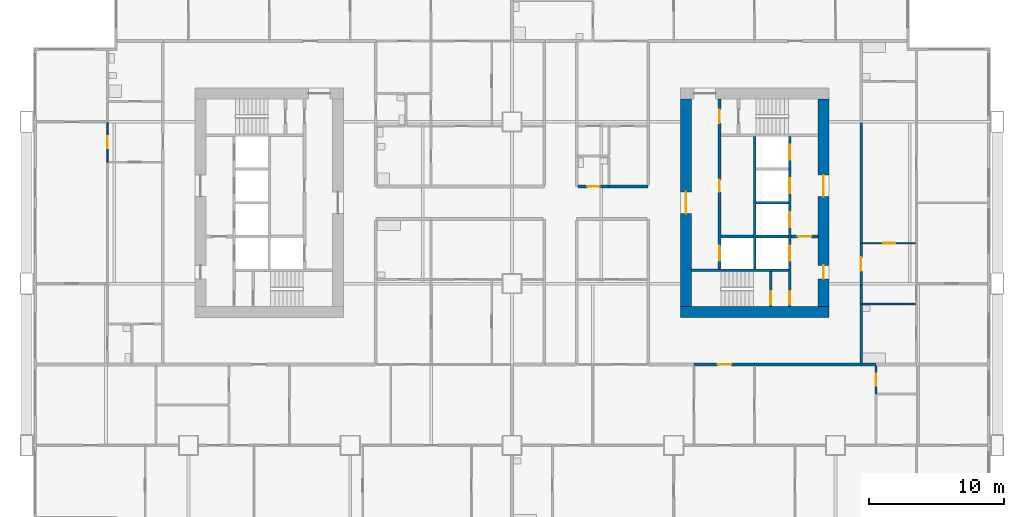
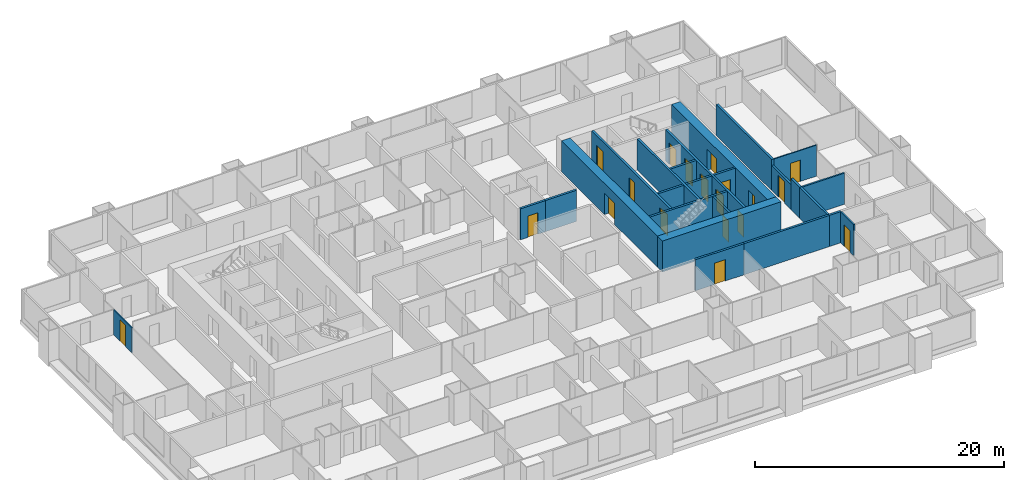
# One storey, part 6 of 13: 25 walls, 19 doors, 19 openings.
"""IFC4 building model written with IfcOpenShell, lengths in metres."""

from ifc_helpers import new_model, si_unit, direction, frame, frame_2d, origin, place, context, subcontext, project, spatial, rectangle, extrude, material, layer, layer_set, type_object, element, fill, save


model = new_model("IFC4")

# Units and contexts
model_context = context("Model", 3, precision=1e-05, world=origin(), true_north=direction((0.0, 1.0)))
body_context = subcontext(model_context, "Body", "Model", "MODEL_VIEW")
ifc_project = project(units=[si_unit("LENGTHUNIT", "METRE"), si_unit("AREAUNIT", "SQUARE_METRE"), si_unit("VOLUMEUNIT", "CUBIC_METRE"), si_unit("PLANEANGLEUNIT", "RADIAN"), si_unit("MASSUNIT", "GRAM", prefix="KILO")], contexts=[model_context])

# Site, building, storey
site_placement = place(None, origin())
site = spatial("IfcSite", under=ifc_project, at=site_placement, CompositionType="ELEMENT")
building_placement = place(site_placement, origin())
building = spatial("IfcBuilding", under=site, at=building_placement, Name="Kitamizu Gate Tower and Museum", CompositionType="ELEMENT")
storey_placement = place(building_placement, frame((0.0, 0.0, 88.64990234375)))
storey = spatial("IfcBuildingStorey", under=building, at=storey_placement, Name="L22", CompositionType="ELEMENT", Elevation=88.64990234375)

# Wall
ifc_material_1 = material(Name="Concrete Fc60", Category="concrete")
ifc_layer_1 = layer(ifc_material_1, 0.800048828125)
ifc_layer_set_1 = layer_set([ifc_layer_1], Name="Concrete Fc60")
wall_type_1 = type_object("IfcWallType", Name="Core wall 800", PredefinedType="SHEAR", material=ifc_layer_set_1)
wall_1_placement = place(storey_placement, frame((59.5, 21.89990234375, 0.0), z_axis=(0.0, 0.0, 1.0), x_axis=(-1.0, 0.0, 0.0)))
element("IfcWall", 1, at=wall_1_placement, inside=storey, type_object=wall_type_1, Name="Core wall ES", PredefinedType="SHEAR", context=body_context, shape_type="SweptSolid", body=[
    extrude(rectangle(XDim=11.0, YDim=0.800048828125, at=frame_2d((5.5, 0.0))), origin(), (0.0, 0.0, 1.0), 3.050048828125),
])

# Wall, openings, doors
wall_2_placement = place(storey_placement, frame((59.10009765625, 22.300048828125, 0.0), z_axis=(0.0, 0.0, 1.0), x_axis=(0.0, 1.0, 0.0)))
wall_2 = element("IfcWall", 2, at=wall_2_placement, inside=storey, type_object=wall_type_1, Name="Core wall EOUT", PredefinedType="SHEAR", context=body_context, shape_type="SweptSolid", body=[
    extrude(rectangle(XDim=15.39990234375, YDim=0.800048828125, at=frame_2d((7.699951171875, 0.0))), origin(), (0.0, 0.0, 1.0), 3.050048828125),
])
opening_1_placement = place(wall_2_placement, frame((8.14990234375, 0.0, 0.0)))
opening_1 = element("IfcOpeningElement", 3, at=opening_1_placement, cuts=wall_2, Name="Opening L22-091", PredefinedType="OPENING", context=body_context, shape_type="SweptSolid", body=[
    extrude(rectangle(XDim=1.60009765625, YDim=2.10009765625, at=frame_2d((0.800048828125, 1.050048828125))), frame((0.0, 0.41015625, 0.0), z_axis=(0.0, -1.0, 0.0), x_axis=(1.0, 0.0, 0.0)), (0.0, 0.0, 1.0), 0.820068359375),
])
opening_2_placement = place(wall_2_placement, frame((2.050048828125, 0.0, 0.0)))
opening_2 = element("IfcOpeningElement", 4, at=opening_2_placement, cuts=wall_2, Name="Opening L22-092", PredefinedType="OPENING", context=body_context, shape_type="SweptSolid", body=[
    extrude(rectangle(XDim=1.0, YDim=2.10009765625, at=frame_2d((0.5, 1.050048828125))), frame((0.0, 0.41015625, 0.0), z_axis=(0.0, -1.0, 0.0), x_axis=(1.0, 0.0, 0.0)), (0.0, 0.0, 1.0), 0.820068359375),
])
ifc_material_2 = material(Name="Timber door set", Category="wood")
door_type_1 = type_object("IfcDoorType", Name="Entrance door 1600", OperationType="DOUBLE_DOOR_SINGLE_SWING", PredefinedType="DOOR", material=ifc_material_2)
door_1_placement = place(opening_1_placement, origin())
door_1 = element("IfcDoor", 5, at=door_1_placement, inside=storey, type_object=door_type_1, Name="Lobby door L22-091", OperationType="DOUBLE_DOOR_SINGLE_SWING", OverallHeight=2.10009765625, OverallWidth=1.60009765625, PredefinedType="DOOR", context=body_context, shape_type="SweptSolid", body=[
    extrude(rectangle(XDim=1.60009765625, YDim=2.10009765625, at=frame_2d((0.800048828125, 1.050048828125))), frame((0.0, 0.02490234375, 0.0), z_axis=(0.0, -1.0, 0.0), x_axis=(1.0, 0.0, 0.0)), (0.0, 0.0, 1.0), 0.050048828125),
])
fill(opening_1, door_1)
ifc_material_3 = material(Name="Hollow metal door set")
door_type_2 = type_object("IfcDoorType", Name="Fire door 1000", OperationType="NOTDEFINED", PredefinedType="DOOR", material=ifc_material_3)
door_2_placement = place(opening_2_placement, origin())
door_2 = element("IfcDoor", 6, at=door_2_placement, inside=storey, type_object=door_type_2, Name="Fire-fighting lobby door L22-092", OperationType="SINGLE_SWING_RIGHT", OverallHeight=2.10009765625, OverallWidth=1.0, PredefinedType="DOOR", context=body_context, shape_type="SweptSolid", body=[
    extrude(rectangle(XDim=1.0, YDim=2.10009765625, at=frame_2d((0.5, 1.050048828125))), frame((0.0, 0.02490234375, 0.0), z_axis=(0.0, -1.0, 0.0), x_axis=(1.0, 0.0, 0.0)), (0.0, 0.0, 1.0), 0.050048828125),
])
fill(opening_2, door_2)

# Wall, opening, door
wall_3_placement = place(storey_placement, frame((48.89990234375, 22.300048828125, 0.0), z_axis=(0.0, 0.0, 1.0), x_axis=(0.0, 1.0, 0.0)))
wall_3 = element("IfcWall", 7, at=wall_3_placement, inside=storey, type_object=wall_type_1, Name="Core wall EARC", PredefinedType="SHEAR", context=body_context, shape_type="SweptSolid", body=[
    extrude(rectangle(XDim=15.39990234375, YDim=0.800048828125, at=frame_2d((7.699951171875, 0.0))), origin(), (0.0, 0.0, 1.0), 3.050048828125),
])
opening_3_placement = place(wall_3_placement, frame((6.89990234375, 0.0, 0.0)))
opening_3 = element("IfcOpeningElement", 8, at=opening_3_placement, cuts=wall_3, Name="Opening L22-094", PredefinedType="OPENING", context=body_context, shape_type="SweptSolid", body=[
    extrude(rectangle(XDim=1.60009765625, YDim=2.10009765625, at=frame_2d((0.800048828125, 1.050048828125))), frame((0.0, 0.41015625, 0.0), z_axis=(0.0, -1.0, 0.0), x_axis=(1.0, 0.0, 0.0)), (0.0, 0.0, 1.0), 0.820068359375),
])
door_3_placement = place(opening_3_placement, origin())
door_3 = element("IfcDoor", 9, at=door_3_placement, inside=storey, type_object=door_type_1, Name="Lobby door L22-094", OperationType="DOUBLE_DOOR_SINGLE_SWING", OverallHeight=2.10009765625, OverallWidth=1.60009765625, PredefinedType="DOOR", context=body_context, shape_type="SweptSolid", body=[
    extrude(rectangle(XDim=1.60009765625, YDim=2.10009765625, at=frame_2d((0.800048828125, 1.050048828125))), frame((0.0, 0.02490234375, 0.0), z_axis=(0.0, -1.0, 0.0), x_axis=(1.0, 0.0, 0.0)), (0.0, 0.0, 1.0), 0.050048828125),
])
fill(opening_3, door_3)

ifc_material_4 = material(Name="Gypsum board on galvanised stud")
ifc_layer_2 = layer(ifc_material_4, 0.10009765625)
ifc_layer_set_2 = layer_set([ifc_layer_2], Name="Gypsum board on galvanised stud")
wall_type_2 = type_object("IfcWallType", Name="Partition 100 NOT RATED", PredefinedType="PARTITIONING", material=ifc_layer_set_2)
wall_4_placement = place(storey_placement, frame((6.0, 33.0, 0.0), z_axis=(0.0, 0.0, 1.0), x_axis=(0.0, 1.0, 0.0)))
wall_4 = element("IfcWall", 10, at=wall_4_placement, inside=storey, type_object=wall_type_2, Name="Partition L22-068", PredefinedType="PARTITIONING", context=body_context, shape_type="SweptSolid", body=[
    extrude(rectangle(XDim=2.949951171875, YDim=0.10009765625, at=frame_2d((1.47509765625, 0.0))), origin(), (0.0, 0.0, 1.0), 2.4501953125),
])
opening_4_placement = place(wall_4_placement, frame((1.02490234375, 0.0, 0.0)))
opening_4 = element("IfcOpeningElement", 11, at=opening_4_placement, cuts=wall_4, Name="Opening L22-022", PredefinedType="OPENING", context=body_context, shape_type="SweptSolid", body=[
    extrude(rectangle(XDim=0.89990234375, YDim=2.10009765625, at=frame_2d((0.449951171875, 1.050048828125))), frame((0.0, 0.06005859375, 0.0), z_axis=(0.0, -1.0, 0.0), x_axis=(1.0, 0.0, 0.0)), (0.0, 0.0, 1.0), 0.1201171875),
])
ifc_material_5 = material(Name="Timber door set", Category="wood")
door_type_3 = type_object("IfcDoorType", Name="Room door 900", OperationType="NOTDEFINED", PredefinedType="DOOR", material=ifc_material_5)
door_4_placement = place(opening_4_placement, origin())
door_4 = element("IfcDoor", 12, at=door_4_placement, inside=storey, type_object=door_type_3, Name="Door L22-022", OperationType="SINGLE_SWING_LEFT", OverallHeight=2.10009765625, OverallWidth=0.89990234375, PredefinedType="DOOR", context=body_context, shape_type="SweptSolid", body=[
    extrude(rectangle(XDim=0.89990234375, YDim=2.10009765625, at=frame_2d((0.449951171875, 1.050048828125))), frame((0.0, 0.02490234375, 0.0), z_axis=(0.0, -1.0, 0.0), x_axis=(1.0, 0.0, 0.0)), (0.0, 0.0, 1.0), 0.050048828125),
])
fill(opening_4, door_4)

wall_5_placement = place(storey_placement, frame((65.949951171875, 27.0, 0.0), z_axis=(0.0, 0.0, 1.0), x_axis=(-1.0, 0.0, 0.0)))
wall_5 = element("IfcWall", 13, at=wall_5_placement, inside=storey, type_object=wall_type_2, Name="Partition L22-180", PredefinedType="PARTITIONING", context=body_context, shape_type="SweptSolid", body=[
    extrude(rectangle(XDim=3.949951171875, YDim=0.10009765625, at=frame_2d((1.97509765625, 0.0))), origin(), (0.0, 0.0, 1.0), 3.050048828125),
])
opening_5_placement = place(wall_5_placement, frame((1.52490234375, 0.0, 0.0)))
opening_5 = element("IfcOpeningElement", 14, at=opening_5_placement, cuts=wall_5, Name="Opening L22-061", PredefinedType="OPENING", context=body_context, shape_type="SweptSolid", body=[
    extrude(rectangle(XDim=0.89990234375, YDim=2.10009765625, at=frame_2d((0.449951171875, 1.050048828125))), frame((0.0, 0.06005859375, 0.0), z_axis=(0.0, -1.0, 0.0), x_axis=(1.0, 0.0, 0.0)), (0.0, 0.0, 1.0), 0.1201171875),
])
door_5_placement = place(opening_5_placement, origin())
door_5 = element("IfcDoor", 15, at=door_5_placement, inside=storey, type_object=door_type_3, Name="Door L22-061", OperationType="SINGLE_SWING_LEFT", OverallHeight=2.10009765625, OverallWidth=0.89990234375, PredefinedType="DOOR", context=body_context, shape_type="SweptSolid", body=[
    extrude(rectangle(XDim=0.89990234375, YDim=2.10009765625, at=frame_2d((0.449951171875, 1.050048828125))), frame((0.0, 0.02490234375, 0.0), z_axis=(0.0, -1.0, 0.0), x_axis=(1.0, 0.0, 0.0)), (0.0, 0.0, 1.0), 0.050048828125),
])
fill(opening_5, door_5)

ifc_material_6 = material(Name="Gypsum board on galvanised stud")
ifc_layer_3 = layer(ifc_material_6, 0.14990234375)
ifc_layer_set_3 = layer_set([ifc_layer_3], Name="Gypsum board on galvanised stud")
wall_type_3 = type_object("IfcWallType", Name="Partition 150", PredefinedType="PARTITIONING", material=ifc_layer_set_3)
wall_6_placement = place(storey_placement, frame((63.0, 15.81396484375, 0.0), z_axis=(0.0, 0.0, 1.0), x_axis=(0.0, 1.0, 0.0)))
wall_6 = element("IfcWall", 16, at=wall_6_placement, inside=storey, type_object=wall_type_3, Name="Partition L22-154", PredefinedType="PARTITIONING", context=body_context, shape_type="SweptSolid", body=[
    extrude(rectangle(XDim=2.0859375, YDim=0.14990234375, at=frame_2d((1.04296875, 0.0))), origin(), (0.0, 0.0, 1.0), 3.050048828125),
])
opening_6_placement = place(wall_6_placement, frame((0.593017578125, 0.0, 0.0)))
opening_6 = element("IfcOpeningElement", 17, at=opening_6_placement, cuts=wall_6, Name="Opening L22-056", PredefinedType="OPENING", context=body_context, shape_type="SweptSolid", body=[
    extrude(rectangle(XDim=0.89990234375, YDim=2.10009765625, at=frame_2d((0.449951171875, 1.050048828125))), frame((0.0, 0.0849609375, 0.0), z_axis=(0.0, -1.0, 0.0), x_axis=(1.0, 0.0, 0.0)), (0.0, 0.0, 1.0), 0.169921875),
])
ifc_material_7 = material(Name="Timber door set", Category="wood")
door_type_4 = type_object("IfcDoorType", Name="Bathroom door 900", OperationType="NOTDEFINED", PredefinedType="DOOR", material=ifc_material_7)
door_6_placement = place(opening_6_placement, frame((0.89990234375, 0.0, 0.0), x_axis=(-1.0, 0.0, 0.0)))
door_6 = element("IfcDoor", 18, at=door_6_placement, inside=storey, type_object=door_type_4, Name="Bathroom door L22-056", OperationType="SINGLE_SWING_LEFT", OverallHeight=2.10009765625, OverallWidth=0.89990234375, PredefinedType="DOOR", context=body_context, shape_type="SweptSolid", body=[
    extrude(rectangle(XDim=0.89990234375, YDim=2.10009765625, at=frame_2d((0.449951171875, 1.050048828125))), frame((0.0, 0.02490234375, 0.0), z_axis=(0.0, -1.0, 0.0), x_axis=(1.0, 0.0, 0.0)), (0.0, 0.0, 1.0), 0.050048828125),
])
fill(opening_6, door_6)

# Wall
wall_7_placement = place(storey_placement, frame((65.925048828125, 22.5, 0.0), z_axis=(0.0, 0.0, 1.0), x_axis=(-1.0, 0.0, 0.0)))
element("IfcWall", 19, at=wall_7_placement, inside=storey, type_object=wall_type_3, Name="Partition L22-178", PredefinedType="PARTITIONING", context=body_context, shape_type="SweptSolid", body=[
    extrude(rectangle(XDim=3.925048828125, YDim=0.14990234375, at=frame_2d((1.96240234375, 0.0))), origin(), (0.0, 0.0, 1.0), 3.050048828125),
])

# Wall, opening, door
ifc_material_8 = material(Name="Gypsum board on galvanised stud")
ifc_layer_4 = layer(ifc_material_8, 0.199951171875)
ifc_layer_set_4 = layer_set([ifc_layer_4], Name="Gypsum board on galvanised stud")
wall_type_4 = type_object("IfcWallType", Name="Partition 200", PredefinedType="PARTITIONING", material=ifc_layer_set_4)
wall_8_placement = place(storey_placement, frame((54.0, 18.0, 0.0), z_axis=(0.0, 0.0, 1.0), x_axis=(-1.0, 0.0, 0.0)))
wall_8 = element("IfcWall", 20, at=wall_8_placement, inside=storey, type_object=wall_type_4, Name="Partition L22-152", PredefinedType="PARTITIONING", context=body_context, shape_type="SweptSolid", body=[
    extrude(rectangle(XDim=4.5, YDim=0.199951171875, at=frame_2d((2.25, 0.0))), origin(), (0.0, 0.0, 1.0), 3.050048828125),
])
opening_7_placement = place(wall_8_placement, frame((1.75, 0.0, 0.0)))
opening_7 = element("IfcOpeningElement", 21, at=opening_7_placement, cuts=wall_8, Name="Opening L22-041", PredefinedType="OPENING", context=body_context, shape_type="SweptSolid", body=[
    extrude(rectangle(XDim=1.0, YDim=2.10009765625, at=frame_2d((0.5, 1.050048828125))), frame((0.0, 0.10986328125, 0.0), z_axis=(0.0, -1.0, 0.0), x_axis=(1.0, 0.0, 0.0)), (0.0, 0.0, 1.0), 0.219970703125),
])
ifc_material_9 = material(Name="Timber door set", Category="wood")
door_type_5 = type_object("IfcDoorType", Name="Flat entrance door 1000", OperationType="NOTDEFINED", PredefinedType="DOOR", material=ifc_material_9)
door_7_placement = place(opening_7_placement, origin())
door_7 = element("IfcDoor", 22, at=door_7_placement, inside=storey, type_object=door_type_5, Name="Flat entrance door L22-041", OperationType="SINGLE_SWING_RIGHT", OverallHeight=2.10009765625, OverallWidth=1.0, PredefinedType="DOOR", context=body_context, shape_type="SweptSolid", body=[
    extrude(rectangle(XDim=1.0, YDim=2.10009765625, at=frame_2d((0.5, 1.050048828125))), frame((0.0, 0.02490234375, 0.0), z_axis=(0.0, -1.0, 0.0), x_axis=(1.0, 0.0, 0.0)), (0.0, 0.0, 1.0), 0.050048828125),
])
fill(opening_7, door_7)

# Walls
wall_9_placement = place(storey_placement, frame((63.0, 18.0, 0.0), z_axis=(0.0, 0.0, 1.0), x_axis=(-1.0, 0.0, 0.0)))
element("IfcWall", 23, at=wall_9_placement, inside=storey, type_object=wall_type_4, Name="Partition L22-155", PredefinedType="PARTITIONING", context=body_context, shape_type="SweptSolid", body=[
    extrude(rectangle(XDim=1.10009765625, YDim=0.199951171875, at=frame_2d((0.550048828125, 0.0))), origin(), (0.0, 0.0, 1.0), 3.050048828125),
])
wall_10_placement = place(storey_placement, frame((61.89990234375, 18.0, 0.0), z_axis=(0.0, 0.0, 1.0), x_axis=(-1.0, 0.0, 0.0)))
element("IfcWall", 24, at=wall_10_placement, inside=storey, type_object=wall_type_4, Name="Partition L22-156", PredefinedType="PARTITIONING", context=body_context, shape_type="SweptSolid", body=[
    extrude(rectangle(XDim=7.89990234375, YDim=0.199951171875, at=frame_2d((3.949951171875, 0.0))), origin(), (0.0, 0.0, 1.0), 3.050048828125),
])
wall_11_placement = place(storey_placement, frame((61.89990234375, 22.5, 0.0), z_axis=(0.0, 0.0, 1.0), x_axis=(0.0, -1.0, 0.0)))
element("IfcWall", 25, at=wall_11_placement, inside=storey, type_object=wall_type_4, Name="Partition L22-179", PredefinedType="PARTITIONING", context=body_context, shape_type="SweptSolid", body=[
    extrude(rectangle(XDim=4.39990234375, YDim=0.199951171875, at=frame_2d((2.199951171875, 0.0))), origin(), (0.0, 0.0, 1.0), 3.050048828125),
])

# Wall, opening, door
wall_12_placement = place(storey_placement, frame((61.89990234375, 27.0, 0.0), z_axis=(0.0, 0.0, 1.0), x_axis=(0.0, -1.0, 0.0)))
wall_12 = element("IfcWall", 26, at=wall_12_placement, inside=storey, type_object=wall_type_4, Name="Partition L22-181", PredefinedType="PARTITIONING", context=body_context, shape_type="SweptSolid", body=[
    extrude(rectangle(XDim=3.10009765625, YDim=0.199951171875, at=frame_2d((1.550048828125, 0.0))), origin(), (0.0, 0.0, 1.0), 2.4501953125),
])
opening_8_placement = place(wall_12_placement, frame((1.050048828125, 0.0, 0.0)))
opening_8 = element("IfcOpeningElement", 27, at=opening_8_placement, cuts=wall_12, Name="Opening L22-059", PredefinedType="OPENING", context=body_context, shape_type="SweptSolid", body=[
    extrude(rectangle(XDim=1.0, YDim=2.10009765625, at=frame_2d((0.5, 1.050048828125))), frame((0.0, 0.10986328125, 0.0), z_axis=(0.0, -1.0, 0.0), x_axis=(1.0, 0.0, 0.0)), (0.0, 0.0, 1.0), 0.219970703125),
])
door_8_placement = place(opening_8_placement, origin())
door_8 = element("IfcDoor", 28, at=door_8_placement, inside=storey, type_object=door_type_5, Name="Flat entrance door L22-059", OperationType="SINGLE_SWING_RIGHT", OverallHeight=2.10009765625, OverallWidth=1.0, PredefinedType="DOOR", context=body_context, shape_type="SweptSolid", body=[
    extrude(rectangle(XDim=1.0, YDim=2.10009765625, at=frame_2d((0.5, 1.050048828125))), frame((0.0, 0.02490234375, 0.0), z_axis=(0.0, -1.0, 0.0), x_axis=(1.0, 0.0, 0.0)), (0.0, 0.0, 1.0), 0.050048828125),
])
fill(opening_8, door_8)

# Walls
wall_13_placement = place(storey_placement, frame((61.89990234375, 23.89990234375, 0.0), z_axis=(0.0, 0.0, 1.0), x_axis=(0.0, -1.0, 0.0)))
element("IfcWall", 29, at=wall_13_placement, inside=storey, type_object=wall_type_4, Name="Partition L22-182", PredefinedType="PARTITIONING", context=body_context, shape_type="SweptSolid", body=[
    extrude(rectangle(XDim=1.39990234375, YDim=0.199951171875, at=frame_2d((0.699951171875, 0.0))), origin(), (0.0, 0.0, 1.0), 3.050048828125),
])
wall_14_placement = place(storey_placement, frame((61.89990234375, 35.89990234375, 0.0), z_axis=(0.0, 0.0, 1.0), x_axis=(0.0, -1.0, 0.0)))
element("IfcWall", 30, at=wall_14_placement, inside=storey, type_object=wall_type_4, Name="Partition L22-185", PredefinedType="PARTITIONING", context=body_context, shape_type="SweptSolid", body=[
    extrude(rectangle(XDim=8.89990234375, YDim=0.199951171875, at=frame_2d((4.449951171875, 0.0))), origin(), (0.0, 0.0, 1.0), 3.050048828125),
])

# Wall, opening, door
wall_15_placement = place(storey_placement, frame((40.89990234375, 31.199951171875, 0.0), z_axis=(0.0, 0.0, 1.0), x_axis=(1.0, 0.0, 0.0)))
wall_15 = element("IfcWall", 31, at=wall_15_placement, inside=storey, type_object=wall_type_4, Name="Partition L22-209", PredefinedType="PARTITIONING", context=body_context, shape_type="SweptSolid", body=[
    extrude(rectangle(XDim=2.300048828125, YDim=0.199951171875, at=frame_2d((1.14990234375, 0.0))), origin(), (0.0, 0.0, 1.0), 3.050048828125),
])
opening_9_placement = place(wall_15_placement, frame((0.699951171875, 0.0, 0.0)))
opening_9 = element("IfcOpeningElement", 32, at=opening_9_placement, cuts=wall_15, Name="Opening L22-075", PredefinedType="OPENING", context=body_context, shape_type="SweptSolid", body=[
    extrude(rectangle(XDim=0.89990234375, YDim=2.10009765625, at=frame_2d((0.449951171875, 1.050048828125))), frame((0.0, 0.10986328125, 0.0), z_axis=(0.0, -1.0, 0.0), x_axis=(1.0, 0.0, 0.0)), (0.0, 0.0, 1.0), 0.219970703125),
])
ifc_material_10 = material(Name="Timber door set", Category="wood")
door_type_6 = type_object("IfcDoorType", Name="Store door 900", OperationType="NOTDEFINED", PredefinedType="DOOR", material=ifc_material_10)
door_9_placement = place(opening_9_placement, origin())
door_9 = element("IfcDoor", 33, at=door_9_placement, inside=storey, type_object=door_type_6, Name="Service entrance door L22-075", OperationType="SINGLE_SWING_LEFT", OverallHeight=2.10009765625, OverallWidth=0.89990234375, PredefinedType="DOOR", context=body_context, shape_type="SweptSolid", body=[
    extrude(rectangle(XDim=0.89990234375, YDim=2.10009765625, at=frame_2d((0.449951171875, 1.050048828125))), frame((0.0, 0.02490234375, 0.0), z_axis=(0.0, -1.0, 0.0), x_axis=(1.0, 0.0, 0.0)), (0.0, 0.0, 1.0), 0.050048828125),
])
fill(opening_9, door_9)

# Wall
wall_16_placement = place(storey_placement, frame((43.199951171875, 31.199951171875, 0.0), z_axis=(0.0, 0.0, 1.0), x_axis=(1.0, 0.0, 0.0)))
element("IfcWall", 34, at=wall_16_placement, inside=storey, type_object=wall_type_4, Name="Partition L22-212", PredefinedType="PARTITIONING", context=body_context, shape_type="SweptSolid", body=[
    extrude(rectangle(XDim=2.900146484375, YDim=0.199951171875, at=frame_2d((1.4501953125, 0.0))), origin(), (0.0, 0.0, 1.0), 3.050048828125),
])

# Wall, openings, doors
ifc_material_11 = material(Name="Concrete Fc42", Category="concrete")
ifc_layer_5 = layer(ifc_material_11, 0.199951171875)
ifc_layer_set_5 = layer_set([ifc_layer_5], Name="Concrete Fc42")
wall_type_5 = type_object("IfcWallType", Name="Shaft wall 200", PredefinedType="SOLIDWALL", material=ifc_layer_set_5)
wall_17_placement = place(storey_placement, frame((56.60009765625, 22.300048828125, 0.0), z_axis=(0.0, 0.0, 1.0), x_axis=(0.0, 1.0, 0.0)))
wall_17 = element("IfcWall", 35, at=wall_17_placement, inside=storey, type_object=wall_type_5, Name="Shaft wall EWEST", PredefinedType="SOLIDWALL", context=body_context, shape_type="SweptSolid", body=[
    extrude(rectangle(XDim=12.599853515625, YDim=0.199951171875, at=frame_2d((6.2998046875, 0.0))), origin(), (0.0, 0.0, 1.0), 3.050048828125),
])
opening_10_placement = place(wall_17_placement, frame((3.39990234375, 0.0, 0.0)))
opening_10 = element("IfcOpeningElement", 36, at=opening_10_placement, cuts=wall_17, Name="Opening LD", PredefinedType="OPENING", context=body_context, shape_type="SweptSolid", body=[
    extrude(rectangle(XDim=1.10009765625, YDim=2.10009765625, at=frame_2d((0.550048828125, 1.050048828125))), frame((0.0, 0.10986328125, 0.0), z_axis=(0.0, -1.0, 0.0), x_axis=(1.0, 0.0, 0.0)), (0.0, 0.0, 1.0), 0.219970703125),
])
opening_11_placement = place(wall_17_placement, frame((5.89990234375, 0.0, 0.0)))
opening_11 = element("IfcOpeningElement", 37, at=opening_11_placement, cuts=wall_17, Name="Opening LD", PredefinedType="OPENING", context=body_context, shape_type="SweptSolid", body=[
    extrude(rectangle(XDim=1.10009765625, YDim=2.10009765625, at=frame_2d((0.550048828125, 1.050048828125))), frame((0.0, 0.10986328125, 0.0), z_axis=(0.0, -1.0, 0.0), x_axis=(1.0, 0.0, 0.0)), (0.0, 0.0, 1.0), 0.219970703125),
])
opening_12_placement = place(wall_17_placement, frame((8.39990234375, 0.0, 0.0)))
opening_12 = element("IfcOpeningElement", 38, at=opening_12_placement, cuts=wall_17, Name="Opening LD", PredefinedType="OPENING", context=body_context, shape_type="SweptSolid", body=[
    extrude(rectangle(XDim=1.10009765625, YDim=2.10009765625, at=frame_2d((0.550048828125, 1.050048828125))), frame((0.0, 0.10986328125, 0.0), z_axis=(0.0, -1.0, 0.0), x_axis=(1.0, 0.0, 0.0)), (0.0, 0.0, 1.0), 0.219970703125),
])
opening_13_placement = place(wall_17_placement, frame((10.89990234375, 0.0, 0.0)))
opening_13 = element("IfcOpeningElement", 39, at=opening_13_placement, cuts=wall_17, Name="Opening LD", PredefinedType="OPENING", context=body_context, shape_type="SweptSolid", body=[
    extrude(rectangle(XDim=1.10009765625, YDim=2.10009765625, at=frame_2d((0.550048828125, 1.050048828125))), frame((0.0, 0.10986328125, 0.0), z_axis=(0.0, -1.0, 0.0), x_axis=(1.0, 0.0, 0.0)), (0.0, 0.0, 1.0), 0.219970703125),
])
opening_14_placement = place(wall_17_placement, frame((0.14990234375, 0.0, 0.0)))
opening_14 = element("IfcOpeningElement", 40, at=opening_14_placement, cuts=wall_17, Name="Opening L22-087", PredefinedType="OPENING", context=body_context, shape_type="SweptSolid", body=[
    extrude(rectangle(XDim=1.0, YDim=2.10009765625, at=frame_2d((0.5, 1.050048828125))), frame((0.0, 0.10986328125, 0.0), z_axis=(0.0, -1.0, 0.0), x_axis=(1.0, 0.0, 0.0)), (0.0, 0.0, 1.0), 0.219970703125),
])
door_10_placement = place(opening_14_placement, origin())
door_10 = element("IfcDoor", 41, at=door_10_placement, inside=storey, type_object=door_type_2, Name="Stair lobby door L22-087", OperationType="SINGLE_SWING_RIGHT", OverallHeight=2.10009765625, OverallWidth=1.0, PredefinedType="DOOR", context=body_context, shape_type="SweptSolid", body=[
    extrude(rectangle(XDim=1.0, YDim=2.10009765625, at=frame_2d((0.5, 1.050048828125))), frame((0.0, 0.02490234375, 0.0), z_axis=(0.0, -1.0, 0.0), x_axis=(1.0, 0.0, 0.0)), (0.0, 0.0, 1.0), 0.050048828125),
])
fill(opening_14, door_10)
ifc_material_12 = material(Name="Hollow metal door set")
door_type_7 = type_object("IfcDoorType", Name="Landing door 1100", OperationType="SLIDING_TO_LEFT", PredefinedType="DOOR", material=ifc_material_12)
door_11_placement = place(opening_10_placement, origin())
door_11 = element("IfcDoor", 42, at=door_11_placement, inside=storey, type_object=door_type_7, Name="Landing door EFF1", OperationType="SLIDING_TO_LEFT", OverallHeight=2.10009765625, OverallWidth=1.10009765625, PredefinedType="DOOR", context=body_context, shape_type="SweptSolid", body=[
    extrude(rectangle(XDim=1.10009765625, YDim=2.10009765625, at=frame_2d((0.550048828125, 1.050048828125))), frame((0.0, 0.02490234375, 0.0), z_axis=(0.0, -1.0, 0.0), x_axis=(1.0, 0.0, 0.0)), (0.0, 0.0, 1.0), 0.050048828125),
])
fill(opening_10, door_11)
door_12_placement = place(opening_11_placement, origin())
door_12 = element("IfcDoor", 43, at=door_12_placement, inside=storey, type_object=door_type_7, Name="Landing door EL1", OperationType="SLIDING_TO_LEFT", OverallHeight=2.10009765625, OverallWidth=1.10009765625, PredefinedType="DOOR", context=body_context, shape_type="SweptSolid", body=[
    extrude(rectangle(XDim=1.10009765625, YDim=2.10009765625, at=frame_2d((0.550048828125, 1.050048828125))), frame((0.0, 0.02490234375, 0.0), z_axis=(0.0, -1.0, 0.0), x_axis=(1.0, 0.0, 0.0)), (0.0, 0.0, 1.0), 0.050048828125),
])
fill(opening_11, door_12)
door_13_placement = place(opening_12_placement, origin())
door_13 = element("IfcDoor", 44, at=door_13_placement, inside=storey, type_object=door_type_7, Name="Landing door EL2", OperationType="SLIDING_TO_LEFT", OverallHeight=2.10009765625, OverallWidth=1.10009765625, PredefinedType="DOOR", context=body_context, shape_type="SweptSolid", body=[
    extrude(rectangle(XDim=1.10009765625, YDim=2.10009765625, at=frame_2d((0.550048828125, 1.050048828125))), frame((0.0, 0.02490234375, 0.0), z_axis=(0.0, -1.0, 0.0), x_axis=(1.0, 0.0, 0.0)), (0.0, 0.0, 1.0), 0.050048828125),
])
fill(opening_12, door_13)
door_14_placement = place(opening_13_placement, origin())
door_14 = element("IfcDoor", 45, at=door_14_placement, inside=storey, type_object=door_type_7, Name="Landing door EL3", OperationType="SLIDING_TO_LEFT", OverallHeight=2.10009765625, OverallWidth=1.10009765625, PredefinedType="DOOR", context=body_context, shape_type="SweptSolid", body=[
    extrude(rectangle(XDim=1.10009765625, YDim=2.10009765625, at=frame_2d((0.550048828125, 1.050048828125))), frame((0.0, 0.02490234375, 0.0), z_axis=(0.0, -1.0, 0.0), x_axis=(1.0, 0.0, 0.0)), (0.0, 0.0, 1.0), 0.050048828125),
])
fill(opening_13, door_14)

wall_18_placement = place(storey_placement, frame((51.39990234375, 25.10009765625, 0.0), z_axis=(0.0, 0.0, 1.0), x_axis=(0.0, 1.0, 0.0)))
wall_18 = element("IfcWall", 46, at=wall_18_placement, inside=storey, type_object=wall_type_5, Name="Shaft wall EEAST", PredefinedType="SOLIDWALL", context=body_context, shape_type="SweptSolid", body=[
    extrude(rectangle(XDim=12.599853515625, YDim=0.199951171875, at=frame_2d((6.2998046875, 0.0))), origin(), (0.0, 0.0, 1.0), 3.050048828125),
])
opening_15_placement = place(wall_18_placement, frame((0.60009765625, 0.0, 0.0)))
opening_15 = element("IfcOpeningElement", 47, at=opening_15_placement, cuts=wall_18, Name="Opening LD", PredefinedType="OPENING", context=body_context, shape_type="SweptSolid", body=[
    extrude(rectangle(XDim=1.10009765625, YDim=2.10009765625, at=frame_2d((0.550048828125, 1.050048828125))), frame((0.0, 0.10986328125, 0.0), z_axis=(0.0, -1.0, 0.0), x_axis=(1.0, 0.0, 0.0)), (0.0, 0.0, 1.0), 0.219970703125),
])
opening_16_placement = place(wall_18_placement, frame((10.800048828125, 0.0, 0.0)))
opening_16 = element("IfcOpeningElement", 48, at=opening_16_placement, cuts=wall_18, Name="Opening L22-088", PredefinedType="OPENING", context=body_context, shape_type="SweptSolid", body=[
    extrude(rectangle(XDim=1.0, YDim=2.10009765625, at=frame_2d((0.5, 1.050048828125))), frame((0.0, 0.10986328125, 0.0), z_axis=(0.0, -1.0, 0.0), x_axis=(1.0, 0.0, 0.0)), (0.0, 0.0, 1.0), 0.219970703125),
])
opening_17_placement = place(wall_18_placement, frame((5.699951171875, 0.0, 0.0)))
opening_17 = element("IfcOpeningElement", 49, at=opening_17_placement, cuts=wall_18, Name="Opening L22-095", PredefinedType="OPENING", context=body_context, shape_type="SweptSolid", body=[
    extrude(rectangle(XDim=0.89990234375, YDim=2.10009765625, at=frame_2d((0.449951171875, 1.050048828125))), frame((0.0, 0.10986328125, 0.0), z_axis=(0.0, -1.0, 0.0), x_axis=(1.0, 0.0, 0.0)), (0.0, 0.0, 1.0), 0.219970703125),
])
door_15_placement = place(opening_16_placement, frame((1.0, 0.0, 0.0), x_axis=(-1.0, 0.0, 0.0)))
door_15 = element("IfcDoor", 50, at=door_15_placement, inside=storey, type_object=door_type_2, Name="Stair lobby door L22-088", OperationType="SINGLE_SWING_RIGHT", OverallHeight=2.10009765625, OverallWidth=1.0, PredefinedType="DOOR", context=body_context, shape_type="SweptSolid", body=[
    extrude(rectangle(XDim=1.0, YDim=2.10009765625, at=frame_2d((0.5, 1.050048828125))), frame((0.0, 0.02490234375, 0.0), z_axis=(0.0, -1.0, 0.0), x_axis=(1.0, 0.0, 0.0)), (0.0, 0.0, 1.0), 0.050048828125),
])
fill(opening_16, door_15)
door_16_placement = place(opening_15_placement, origin())
door_16 = element("IfcDoor", 51, at=door_16_placement, inside=storey, type_object=door_type_7, Name="Landing door ESV1", OperationType="SLIDING_TO_LEFT", OverallHeight=2.10009765625, OverallWidth=1.10009765625, PredefinedType="DOOR", context=body_context, shape_type="SweptSolid", body=[
    extrude(rectangle(XDim=1.10009765625, YDim=2.10009765625, at=frame_2d((0.550048828125, 1.050048828125))), frame((0.0, 0.02490234375, 0.0), z_axis=(0.0, -1.0, 0.0), x_axis=(1.0, 0.0, 0.0)), (0.0, 0.0, 1.0), 0.050048828125),
])
fill(opening_15, door_16)
ifc_material_13 = material(Name="Timber door set", Category="wood")
door_type_8 = type_object("IfcDoorType", Name="Service door 900", OperationType="NOTDEFINED", PredefinedType="DOOR", material=ifc_material_13)
door_17_placement = place(opening_17_placement, frame((0.89990234375, 0.0, 0.0), x_axis=(-1.0, 0.0, 0.0)))
door_17 = element("IfcDoor", 52, at=door_17_placement, inside=storey, type_object=door_type_8, Name="Service door L22-095", OperationType="SINGLE_SWING_RIGHT", OverallHeight=2.10009765625, OverallWidth=0.89990234375, PredefinedType="DOOR", context=body_context, shape_type="SweptSolid", body=[
    extrude(rectangle(XDim=0.89990234375, YDim=2.10009765625, at=frame_2d((0.449951171875, 1.050048828125))), frame((0.0, 0.02490234375, 0.0), z_axis=(0.0, -1.0, 0.0), x_axis=(1.0, 0.0, 0.0)), (0.0, 0.0, 1.0), 0.050048828125),
])
fill(opening_17, door_17)

# Walls
wall_19_placement = place(storey_placement, frame((54.0, 25.10009765625, 0.0), z_axis=(0.0, 0.0, 1.0), x_axis=(0.0, 1.0, 0.0)))
element("IfcWall", 53, at=wall_19_placement, inside=storey, type_object=wall_type_5, Name="Shaft wall EMID", PredefinedType="SOLIDWALL", context=body_context, shape_type="SweptSolid", body=[
    extrude(rectangle(XDim=9.7998046875, YDim=0.199951171875, at=frame_2d((4.89990234375, 0.0))), origin(), (0.0, 0.0, 1.0), 3.050048828125),
])
wall_20_placement = place(storey_placement, frame((56.5, 25.0, 0.0), z_axis=(0.0, 0.0, 1.0), x_axis=(-1.0, 0.0, 0.0)))
element("IfcWall", 54, at=wall_20_placement, inside=storey, type_object=wall_type_5, Name="Shaft wall ESB", PredefinedType="SOLIDWALL", context=body_context, shape_type="SweptSolid", body=[
    extrude(rectangle(XDim=7.199951171875, YDim=0.199951171875, at=frame_2d((3.60009765625, 0.0))), origin(), (0.0, 0.0, 1.0), 3.050048828125),
])

# Wall, opening, door
wall_21_placement = place(storey_placement, frame((58.699951171875, 27.5, 0.0), z_axis=(0.0, 0.0, 1.0), x_axis=(-1.0, 0.0, 0.0)))
wall_21 = element("IfcWall", 55, at=wall_21_placement, inside=storey, type_object=wall_type_5, Name="Shaft wall EFFN", PredefinedType="SOLIDWALL", context=body_context, shape_type="SweptSolid", body=[
    extrude(rectangle(XDim=2.0, YDim=0.199951171875, at=frame_2d((1.0, 0.0))), origin(), (0.0, 0.0, 1.0), 3.050048828125),
])
opening_18_placement = place(wall_21_placement, frame((0.5, 0.0, 0.0)))
opening_18 = element("IfcOpeningElement", 56, at=opening_18_placement, cuts=wall_21, Name="Opening L22-090", PredefinedType="OPENING", context=body_context, shape_type="SweptSolid", body=[
    extrude(rectangle(XDim=1.0, YDim=2.10009765625, at=frame_2d((0.5, 1.050048828125))), frame((0.0, 0.10986328125, 0.0), z_axis=(0.0, -1.0, 0.0), x_axis=(1.0, 0.0, 0.0)), (0.0, 0.0, 1.0), 0.219970703125),
])
door_18_placement = place(opening_18_placement, origin())
door_18 = element("IfcDoor", 57, at=door_18_placement, inside=storey, type_object=door_type_2, Name="Fire-fighting lobby door L22-090", OperationType="SINGLE_SWING_LEFT", OverallHeight=2.10009765625, OverallWidth=1.0, PredefinedType="DOOR", context=body_context, shape_type="SweptSolid", body=[
    extrude(rectangle(XDim=1.0, YDim=2.10009765625, at=frame_2d((0.5, 1.050048828125))), frame((0.0, 0.02490234375, 0.0), z_axis=(0.0, -1.0, 0.0), x_axis=(1.0, 0.0, 0.0)), (0.0, 0.0, 1.0), 0.050048828125),
])
fill(opening_18, door_18)

wall_22_placement = place(storey_placement, frame((55.199951171875, 22.300048828125, 0.0), z_axis=(0.0, 0.0, 1.0), x_axis=(0.0, 1.0, 0.0)))
wall_22 = element("IfcWall", 58, at=wall_22_placement, inside=storey, type_object=wall_type_5, Name="Shaft wall ESZ", PredefinedType="SOLIDWALL", context=body_context, shape_type="SweptSolid", body=[
    extrude(rectangle(XDim=2.599853515625, YDim=0.199951171875, at=frame_2d((1.2998046875, 0.0))), origin(), (0.0, 0.0, 1.0), 3.050048828125),
])
opening_19_placement = place(wall_22_placement, frame((0.14990234375, 0.0, 0.0)))
opening_19 = element("IfcOpeningElement", 59, at=opening_19_placement, cuts=wall_22, Name="Opening L22-086", PredefinedType="OPENING", context=body_context, shape_type="SweptSolid", body=[
    extrude(rectangle(XDim=1.0, YDim=2.10009765625, at=frame_2d((0.5, 1.050048828125))), frame((0.0, 0.10986328125, 0.0), z_axis=(0.0, -1.0, 0.0), x_axis=(1.0, 0.0, 0.0)), (0.0, 0.0, 1.0), 0.219970703125),
])
door_19_placement = place(opening_19_placement, origin())
door_19 = element("IfcDoor", 60, at=door_19_placement, inside=storey, type_object=door_type_2, Name="Stair door L22-086", OperationType="SINGLE_SWING_RIGHT", OverallHeight=2.10009765625, OverallWidth=1.0, PredefinedType="DOOR", context=body_context, shape_type="SweptSolid", body=[
    extrude(rectangle(XDim=1.0, YDim=2.10009765625, at=frame_2d((0.5, 1.050048828125))), frame((0.0, 0.02490234375, 0.0), z_axis=(0.0, -1.0, 0.0), x_axis=(1.0, 0.0, 0.0)), (0.0, 0.0, 1.0), 0.050048828125),
])
fill(opening_19, door_19)

# Walls
for number, where, z_axis, x_axis, name in (
    (61, (56.5, 27.5, 0.0), (0.0, 0.0, 1.0), (-1.0, 0.0, 0.0), "Shaft wall EDVW0"),
    (62, (56.5, 30.0, 0.0), (0.0, 0.0, 1.0), (-1.0, 0.0, 0.0), "Shaft wall EDVW1"),
    (63, (53.89990234375, 27.5, 0.0), (0.0, 0.0, 1.0), (-1.0, 0.0, 0.0), "Shaft wall EDVE0"),
):
    element("IfcWall", number, at=place(storey_placement, frame(where, z_axis=z_axis, x_axis=x_axis)), inside=storey, type_object=wall_type_5, Name=name, PredefinedType="SOLIDWALL", context=body_context, shape_type="SweptSolid", body=[
        extrude(rectangle(XDim=2.39990234375, YDim=0.199951171875, at=frame_2d((1.199951171875, 0.0))), origin(), (0.0, 0.0, 1.0), 3.050048828125),
    ])

save(model, "model.ifc")
